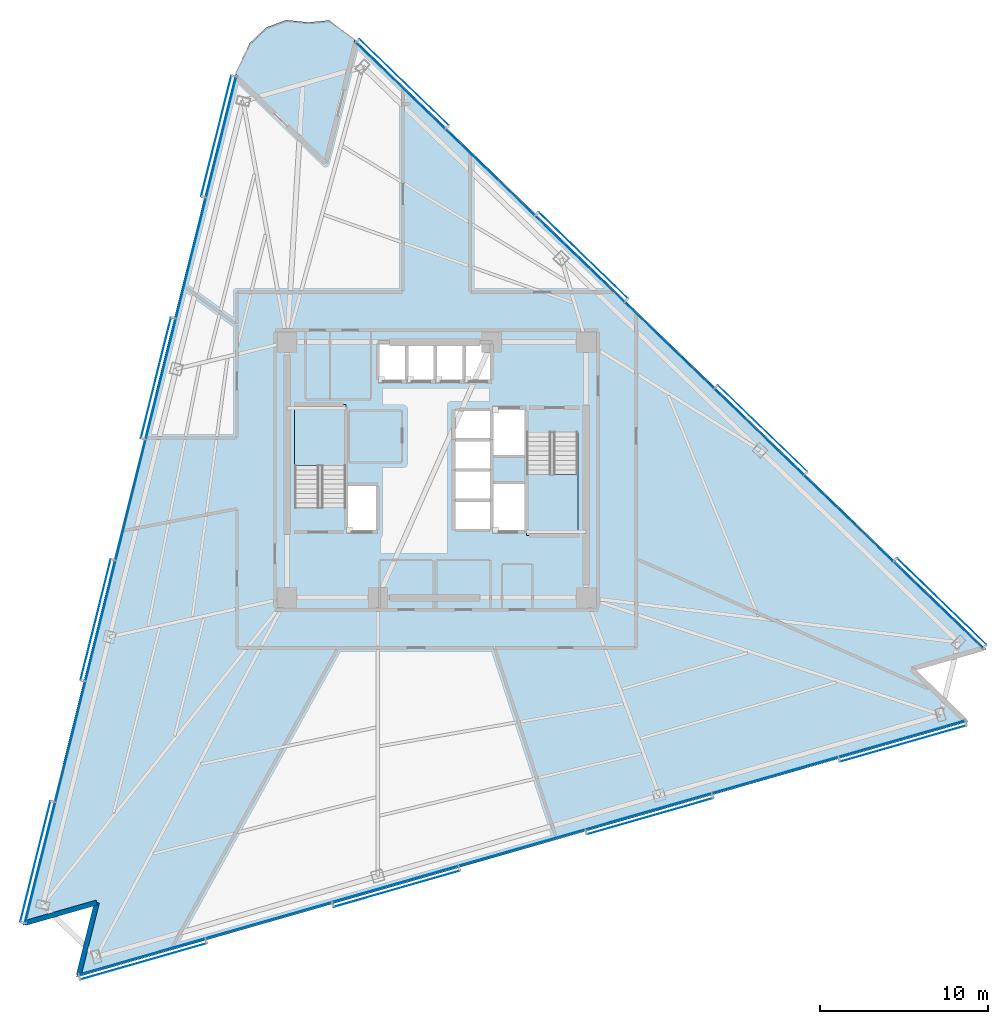
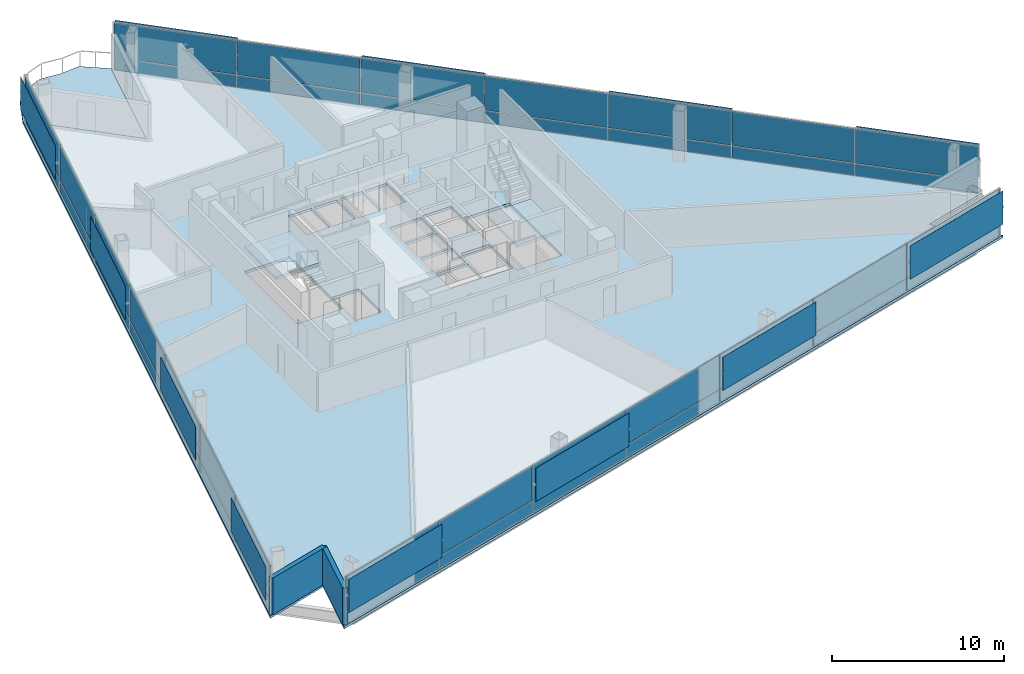
# One storey, part 8 of 17: 54 plates, 4 slabs, 2 walls, 5 elements without a shape of their own.
"""IFC4 building model written with IfcOpenShell, lengths in metres."""

from ifc_helpers import new_model, si_unit, direction, frame, frame_2d, origin, origin_2d, place, context, subcontext, project, spatial, polyline, rectangle, outline, extrude, material, layer, layer_set, type_object, element, aggregate, save


model = new_model("IFC4")

# Units and contexts
model_context = context("Model", 3, precision=1e-05, world=origin(), true_north=direction((0.0, 1.0)))
body_context = subcontext(model_context, "Body", "Model", "MODEL_VIEW")
ifc_project = project(units=[si_unit("LENGTHUNIT", "METRE"), si_unit("AREAUNIT", "SQUARE_METRE"), si_unit("VOLUMEUNIT", "CUBIC_METRE"), si_unit("PLANEANGLEUNIT", "RADIAN"), si_unit("MASSUNIT", "GRAM", prefix="KILO")], contexts=[model_context])

# Site, building, storey
site_placement = place(None, origin())
site = spatial("IfcSite", under=ifc_project, at=site_placement, CompositionType="ELEMENT")
building_placement = place(site_placement, origin())
building = spatial("IfcBuilding", under=site, at=building_placement, Name="Tharavind Bronze Gate", CompositionType="ELEMENT")
storey_placement = place(building_placement, frame((0.0, 0.0, 96.89990234375)))
storey = spatial("IfcBuildingStorey", under=building, at=storey_placement, Name="L24", CompositionType="ELEMENT", Elevation=96.89990234375)

# Plates
ifc_material_1 = material(Name="Perforated Bronze Alloy", Category="bronze")
ifc_layer_1 = layer(ifc_material_1, 0.011962890625)
ifc_layer_set_1 = layer_set([ifc_layer_1], Name="Perforated Bronze Alloy")
plate_type_1 = type_object("IfcPlateType", Name="BRONZE PERFORATED SOLAR SCREEN", PredefinedType="USERDEFINED", material=ifc_layer_set_1)
for number, where, z_axis, x_axis, name in (
    (1, (-13.11669921875, 19.86865234375, 0.966552734375), (0.0, 0.0, 1.0), (-0.2419218956, -0.970295726276, 0.0), "CW-L24-S1 perforated bronze solar screen 1"),
    (2, (-16.7041015625, 5.480712890625, 0.966552734375), (0.0, 0.0, 1.0), (-0.2419218956, -0.970295726276, 0.0), "CW-L24-S1 perforated bronze solar screen 3"),
    (3, (-20.29150390625, -8.9072265625, 0.966552734375), (0.0, 0.0, 1.0), (-0.2419218956, -0.970295726276, 0.0), "CW-L24-S1 perforated bronze solar screen 5"),
    (4, (-23.878662109375, -23.295166015625, 0.966552734375), (0.0, 0.0, 1.0), (-0.2419218956, -0.970295726276, 0.0), "CW-L24-S1 perforated bronze solar screen 7"),
):
    element("IfcPlate", number, at=place(storey_placement, frame(where, z_axis=z_axis, x_axis=x_axis)), inside=storey, type_object=plate_type_1, Name=name, ObjectType="SCREEN", PredefinedType="USERDEFINED", context=body_context, shape_type="SweptSolid", body=[
        extrude(rectangle(XDim=7.394287109375, YDim=0.011962890625, at=origin_2d()), origin(), (0.0, 0.0, 1.0), 2.376953125),
    ])
for number, where, z_axis, x_axis, name in (
    (5, (-17.447509765625, -29.251220703125, 0.966552734375), (0.0, 0.0, 1.0), (0.961261695938, 0.275637355817, 0.0), "CW-L24-S2 perforated bronze solar screen 1"),
    (6, (-2.380615234375, -24.930908203125, 0.966552734375), (0.0, 0.0, 1.0), (0.961261695938, 0.275637355817, 0.0), "CW-L24-S2 perforated bronze solar screen 3"),
    (7, (12.686279296875, -20.610595703125, 0.966552734375), (0.0, 0.0, 1.0), (0.961261695938, 0.275637355817, 0.0), "CW-L24-S2 perforated bronze solar screen 5"),
    (8, (27.75341796875, -16.290283203125, 0.966552734375), (0.0, 0.0, 1.0), (0.961261695938, 0.275637355817, 0.0), "CW-L24-S2 perforated bronze solar screen 7"),
):
    element("IfcPlate", number, at=place(storey_placement, frame(where, z_axis=z_axis, x_axis=x_axis)), inside=storey, type_object=plate_type_1, Name=name, ObjectType="SCREEN", PredefinedType="USERDEFINED", context=body_context, shape_type="SweptSolid", body=[
        extrude(rectangle(XDim=7.817138671875, YDim=0.011962890625, at=origin_2d()), origin(), (0.0, 0.0, 1.0), 2.376953125),
    ])
for number, where, z_axis, x_axis, name in (
    (9, (30.05126953125, -7.8310546875, 0.966552734375), (0.0, 0.0, 1.0), (-0.719341012745, 0.694657114973, 0.0), "CW-L24-S3 perforated bronze solar screen 1"),
    (10, (19.384521484375, 2.469482421875, 0.966552734375), (0.0, 0.0, 1.0), (-0.719341012745, 0.694657114973, 0.0), "CW-L24-S3 perforated bronze solar screen 3"),
    (11, (8.718017578125, 12.770263671875, 0.966552734375), (0.0, 0.0, 1.0), (-0.719341012745, 0.694657114973, 0.0), "CW-L24-S3 perforated bronze solar screen 5"),
    (12, (-1.94873046875, 23.07080078125, 0.966552734375), (0.0, 0.0, 1.0), (-0.719341012745, 0.694657114973, 0.0), "CW-L24-S3 perforated bronze solar screen 7"),
):
    element("IfcPlate", number, at=place(storey_placement, frame(where, z_axis=z_axis, x_axis=x_axis)), inside=storey, type_object=plate_type_1, Name=name, ObjectType="SCREEN", PredefinedType="USERDEFINED", context=body_context, shape_type="SweptSolid", body=[
        extrude(rectangle(XDim=7.394287109375, YDim=0.011962890625, at=origin_2d()), origin(), (0.0, 0.0, 1.0), 2.376953125),
    ])

# Curtain wall, plates
ifc_material_2 = material(Name="Anodised Bronze Aluminium", Category="aluminium")
ifc_layer_2 = layer(ifc_material_2, 0.219970703125)
ifc_layer_set_2 = layer_set([ifc_layer_2], Name="Anodised Bronze Aluminium")
curtain_wall_type = type_object("IfcCurtainWallType", Name="UNITISED CURTAIN WALL LOWER OFFICE", PredefinedType="USERDEFINED", material=ifc_layer_set_2)
curtain_wall_1_placement = place(storey_placement, origin())
curtain_wall_1 = element("IfcCurtainWall", 13, at=curtain_wall_1_placement, inside=storey, type_object=curtain_wall_type, Name="L24 unitised curtain wall lower office CW-L24-S1", ObjectType="UNITISED CURTAIN WALL", PredefinedType="USERDEFINED")
ifc_material_3 = material(Name="Patinated Bronze Alloy Sheet", Category="bronze")
ifc_layer_3 = layer(ifc_material_3, 0.01611328125)
ifc_layer_set_3 = layer_set([ifc_layer_3], Name="Patinated Bronze Alloy Sheet")
plate_type_2 = type_object("IfcPlateType", Name="BRONZE SPANDREL CLADDING PANEL 16", PredefinedType="CURTAIN_PANEL", material=ifc_layer_set_3)
plate_1_placement = place(storey_placement, frame((-12.83056640625, 19.797119140625, 0.02685546875), z_axis=(0.0, 0.0, 1.0), x_axis=(-0.2419218956, -0.970295726276, 0.0)))
plate_1 = element("IfcPlate", 14, at=plate_1_placement, type_object=plate_type_2, Name="CW-L24-S1 bronze spandrel panel 1", PredefinedType="CURTAIN_PANEL", context=body_context, shape_type="SweptSolid", body=[
    extrude(rectangle(XDim=7.361083984375, YDim=0.01611328125, at=origin_2d()), origin(), (0.0, 0.0, 1.0), 0.846923828125),
])
plate_2_placement = place(storey_placement, frame((-14.624267578125, 12.603271484375, 0.02685546875), z_axis=(0.0, 0.0, 1.0), x_axis=(-0.2419218956, -0.970295726276, 0.0)))
plate_2 = element("IfcPlate", 15, at=plate_2_placement, type_object=plate_type_2, Name="CW-L24-S1 bronze spandrel panel 2", PredefinedType="CURTAIN_PANEL", context=body_context, shape_type="SweptSolid", body=[
    extrude(rectangle(XDim=7.361083984375, YDim=0.01611328125, at=origin_2d()), origin(), (0.0, 0.0, 1.0), 0.846923828125),
])
plate_3_placement = place(storey_placement, frame((-16.417724609375, 5.4091796875, 0.02685546875), z_axis=(0.0, 0.0, 1.0), x_axis=(-0.2419218956, -0.970295726276, 0.0)))
plate_3 = element("IfcPlate", 16, at=plate_3_placement, type_object=plate_type_2, Name="CW-L24-S1 bronze spandrel panel 3", PredefinedType="CURTAIN_PANEL", context=body_context, shape_type="SweptSolid", body=[
    extrude(rectangle(XDim=7.361083984375, YDim=0.01611328125, at=origin_2d()), origin(), (0.0, 0.0, 1.0), 0.846923828125),
])
plate_4_placement = place(storey_placement, frame((-18.21142578125, -1.78466796875, 0.02685546875), z_axis=(0.0, 0.0, 1.0), x_axis=(-0.2419218956, -0.970295726276, 0.0)))
plate_4 = element("IfcPlate", 17, at=plate_4_placement, type_object=plate_type_2, Name="CW-L24-S1 bronze spandrel panel 4", PredefinedType="CURTAIN_PANEL", context=body_context, shape_type="SweptSolid", body=[
    extrude(rectangle(XDim=7.361083984375, YDim=0.01611328125, at=origin_2d()), origin(), (0.0, 0.0, 1.0), 0.846923828125),
])
plate_5_placement = place(storey_placement, frame((-20.005126953125, -8.978759765625, 0.02685546875), z_axis=(0.0, 0.0, 1.0), x_axis=(-0.2419218956, -0.970295726276, 0.0)))
plate_5 = element("IfcPlate", 18, at=plate_5_placement, type_object=plate_type_2, Name="CW-L24-S1 bronze spandrel panel 5", PredefinedType="CURTAIN_PANEL", context=body_context, shape_type="SweptSolid", body=[
    extrude(rectangle(XDim=7.361083984375, YDim=0.01611328125, at=origin_2d()), origin(), (0.0, 0.0, 1.0), 0.846923828125),
])
plate_6_placement = place(storey_placement, frame((-21.798828125, -16.172607421875, 0.02685546875), z_axis=(0.0, 0.0, 1.0), x_axis=(-0.2419218956, -0.970295726276, 0.0)))
plate_6 = element("IfcPlate", 19, at=plate_6_placement, type_object=plate_type_2, Name="CW-L24-S1 bronze spandrel panel 6", PredefinedType="CURTAIN_PANEL", context=body_context, shape_type="SweptSolid", body=[
    extrude(rectangle(XDim=7.361083984375, YDim=0.01611328125, at=origin_2d()), origin(), (0.0, 0.0, 1.0), 0.846923828125),
])
plate_7_placement = place(storey_placement, frame((-23.592529296875, -23.36669921875, 0.02685546875), z_axis=(0.0, 0.0, 1.0), x_axis=(-0.2419218956, -0.970295726276, 0.0)))
plate_7 = element("IfcPlate", 20, at=plate_7_placement, type_object=plate_type_2, Name="CW-L24-S1 bronze spandrel panel 7", PredefinedType="CURTAIN_PANEL", context=body_context, shape_type="SweptSolid", body=[
    extrude(rectangle(XDim=7.361083984375, YDim=0.01611328125, at=origin_2d()), origin(), (0.0, 0.0, 1.0), 0.846923828125),
])

curtain_wall_2_placement = place(storey_placement, origin())
curtain_wall_2 = element("IfcCurtainWall", 21, at=curtain_wall_2_placement, inside=storey, type_object=curtain_wall_type, Name="L24 unitised curtain wall lower office CW-L24-S2", ObjectType="UNITISED CURTAIN WALL", PredefinedType="USERDEFINED")
plate_8_placement = place(storey_placement, frame((-17.52880859375, -28.9677734375, 0.02685546875), z_axis=(0.0, 0.0, 1.0), x_axis=(0.961261695938, 0.275637355817, 0.0)))
plate_8 = element("IfcPlate", 22, at=plate_8_placement, type_object=plate_type_2, Name="CW-L24-S2 bronze spandrel panel 1", PredefinedType="CURTAIN_PANEL", context=body_context, shape_type="SweptSolid", body=[
    extrude(rectangle(XDim=7.7841796875, YDim=0.01611328125, at=origin_2d()), origin(), (0.0, 0.0, 1.0), 0.846923828125),
])
plate_9_placement = place(storey_placement, frame((-9.995361328125, -26.8076171875, 0.02685546875), z_axis=(0.0, 0.0, 1.0), x_axis=(0.961261695938, 0.275637355817, 0.0)))
plate_9 = element("IfcPlate", 23, at=plate_9_placement, type_object=plate_type_2, Name="CW-L24-S2 bronze spandrel panel 2", PredefinedType="CURTAIN_PANEL", context=body_context, shape_type="SweptSolid", body=[
    extrude(rectangle(XDim=7.7841796875, YDim=0.01611328125, at=origin_2d()), origin(), (0.0, 0.0, 1.0), 0.846923828125),
])
plate_10_placement = place(storey_placement, frame((-2.4619140625, -24.647216796875, 0.02685546875), z_axis=(0.0, 0.0, 1.0), x_axis=(0.961261695938, 0.275637355817, 0.0)))
plate_10 = element("IfcPlate", 24, at=plate_10_placement, type_object=plate_type_2, Name="CW-L24-S2 bronze spandrel panel 3", PredefinedType="CURTAIN_PANEL", context=body_context, shape_type="SweptSolid", body=[
    extrude(rectangle(XDim=7.7841796875, YDim=0.01611328125, at=origin_2d()), origin(), (0.0, 0.0, 1.0), 0.846923828125),
])
plate_11_placement = place(storey_placement, frame((5.07177734375, -22.487060546875, 0.02685546875), z_axis=(0.0, 0.0, 1.0), x_axis=(0.961261695938, 0.275637355817, 0.0)))
plate_11 = element("IfcPlate", 25, at=plate_11_placement, type_object=plate_type_2, Name="CW-L24-S2 bronze spandrel panel 4", PredefinedType="CURTAIN_PANEL", context=body_context, shape_type="SweptSolid", body=[
    extrude(rectangle(XDim=7.7841796875, YDim=0.01611328125, at=origin_2d()), origin(), (0.0, 0.0, 1.0), 0.846923828125),
])
plate_12_placement = place(storey_placement, frame((12.60498046875, -20.326904296875, 0.02685546875), z_axis=(0.0, 0.0, 1.0), x_axis=(0.961261695938, 0.275637355817, 0.0)))
plate_12 = element("IfcPlate", 26, at=plate_12_placement, type_object=plate_type_2, Name="CW-L24-S2 bronze spandrel panel 5", PredefinedType="CURTAIN_PANEL", context=body_context, shape_type="SweptSolid", body=[
    extrude(rectangle(XDim=7.7841796875, YDim=0.01611328125, at=origin_2d()), origin(), (0.0, 0.0, 1.0), 0.846923828125),
])
plate_13_placement = place(storey_placement, frame((20.138671875, -18.166748046875, 0.02685546875), z_axis=(0.0, 0.0, 1.0), x_axis=(0.961261695938, 0.275637355817, 0.0)))
plate_13 = element("IfcPlate", 27, at=plate_13_placement, type_object=plate_type_2, Name="CW-L24-S2 bronze spandrel panel 6", PredefinedType="CURTAIN_PANEL", context=body_context, shape_type="SweptSolid", body=[
    extrude(rectangle(XDim=7.7841796875, YDim=0.01611328125, at=origin_2d()), origin(), (0.0, 0.0, 1.0), 0.846923828125),
])
plate_14_placement = place(storey_placement, frame((27.672119140625, -16.006591796875, 0.02685546875), z_axis=(0.0, 0.0, 1.0), x_axis=(0.961261695938, 0.275637355817, 0.0)))
plate_14 = element("IfcPlate", 28, at=plate_14_placement, type_object=plate_type_2, Name="CW-L24-S2 bronze spandrel panel 7", PredefinedType="CURTAIN_PANEL", context=body_context, shape_type="SweptSolid", body=[
    extrude(rectangle(XDim=7.7841796875, YDim=0.01611328125, at=origin_2d()), origin(), (0.0, 0.0, 1.0), 0.846923828125),
])

curtain_wall_3_placement = place(storey_placement, origin())
curtain_wall_3 = element("IfcCurtainWall", 29, at=curtain_wall_3_placement, inside=storey, type_object=curtain_wall_type, Name="L24 unitised curtain wall lower office CW-L24-S3", ObjectType="UNITISED CURTAIN WALL", PredefinedType="USERDEFINED")
plate_15_placement = place(storey_placement, frame((29.84619140625, -8.043212890625, 0.02685546875), z_axis=(0.0, 0.0, 1.0), x_axis=(-0.719341012745, 0.694657114973, 0.0)))
plate_15 = element("IfcPlate", 30, at=plate_15_placement, type_object=plate_type_2, Name="CW-L24-S3 bronze spandrel panel 1", PredefinedType="CURTAIN_PANEL", context=body_context, shape_type="SweptSolid", body=[
    extrude(rectangle(XDim=7.361083984375, YDim=0.01611328125, at=origin_2d()), origin(), (0.0, 0.0, 1.0), 0.846923828125),
])
plate_16_placement = place(storey_placement, frame((24.512939453125, -2.892822265625, 0.02685546875), z_axis=(0.0, 0.0, 1.0), x_axis=(-0.719341012745, 0.694657114973, 0.0)))
plate_16 = element("IfcPlate", 31, at=plate_16_placement, type_object=plate_type_2, Name="CW-L24-S3 bronze spandrel panel 2", PredefinedType="CURTAIN_PANEL", context=body_context, shape_type="SweptSolid", body=[
    extrude(rectangle(XDim=7.361083984375, YDim=0.01611328125, at=origin_2d()), origin(), (0.0, 0.0, 1.0), 0.846923828125),
])
plate_17_placement = place(storey_placement, frame((19.1796875, 2.25732421875, 0.02685546875), z_axis=(0.0, 0.0, 1.0), x_axis=(-0.719341012745, 0.694657114973, 0.0)))
plate_17 = element("IfcPlate", 32, at=plate_17_placement, type_object=plate_type_2, Name="CW-L24-S3 bronze spandrel panel 3", PredefinedType="CURTAIN_PANEL", context=body_context, shape_type="SweptSolid", body=[
    extrude(rectangle(XDim=7.361083984375, YDim=0.01611328125, at=origin_2d()), origin(), (0.0, 0.0, 1.0), 0.846923828125),
])
plate_18_placement = place(storey_placement, frame((13.84619140625, 7.40771484375, 0.02685546875), z_axis=(0.0, 0.0, 1.0), x_axis=(-0.719341012745, 0.694657114973, 0.0)))
plate_18 = element("IfcPlate", 33, at=plate_18_placement, type_object=plate_type_2, Name="CW-L24-S3 bronze spandrel panel 4", PredefinedType="CURTAIN_PANEL", context=body_context, shape_type="SweptSolid", body=[
    extrude(rectangle(XDim=7.361083984375, YDim=0.01611328125, at=origin_2d()), origin(), (0.0, 0.0, 1.0), 0.846923828125),
])
plate_19_placement = place(storey_placement, frame((8.512939453125, 12.55810546875, 0.02685546875), z_axis=(0.0, 0.0, 1.0), x_axis=(-0.719341012745, 0.694657114973, 0.0)))
plate_19 = element("IfcPlate", 34, at=plate_19_placement, type_object=plate_type_2, Name="CW-L24-S3 bronze spandrel panel 5", PredefinedType="CURTAIN_PANEL", context=body_context, shape_type="SweptSolid", body=[
    extrude(rectangle(XDim=7.361083984375, YDim=0.01611328125, at=origin_2d()), origin(), (0.0, 0.0, 1.0), 0.846923828125),
])
plate_20_placement = place(storey_placement, frame((3.1796875, 17.70849609375, 0.02685546875), z_axis=(0.0, 0.0, 1.0), x_axis=(-0.719341012745, 0.694657114973, 0.0)))
plate_20 = element("IfcPlate", 35, at=plate_20_placement, type_object=plate_type_2, Name="CW-L24-S3 bronze spandrel panel 6", PredefinedType="CURTAIN_PANEL", context=body_context, shape_type="SweptSolid", body=[
    extrude(rectangle(XDim=7.361083984375, YDim=0.01611328125, at=origin_2d()), origin(), (0.0, 0.0, 1.0), 0.846923828125),
])
plate_21_placement = place(storey_placement, frame((-2.15380859375, 22.858642578125, 0.02685546875), z_axis=(0.0, 0.0, 1.0), x_axis=(-0.719341012745, 0.694657114973, 0.0)))
plate_21 = element("IfcPlate", 36, at=plate_21_placement, type_object=plate_type_2, Name="CW-L24-S3 bronze spandrel panel 7", PredefinedType="CURTAIN_PANEL", context=body_context, shape_type="SweptSolid", body=[
    extrude(rectangle(XDim=7.361083984375, YDim=0.01611328125, at=origin_2d()), origin(), (0.0, 0.0, 1.0), 0.846923828125),
])

# Plate
ifc_material_4 = material(Name="Low-E Double Glazing", Category="glass")
ifc_layer_4 = layer(ifc_material_4, 0.031982421875)
ifc_layer_set_4 = layer_set([ifc_layer_4], Name="Low-E Double Glazing")
plate_type_3 = type_object("IfcPlateType", Name="DOUBLE GLAZED FACADE PANEL 32", PredefinedType="CURTAIN_PANEL", material=ifc_layer_set_4)
plate_22_placement = place(storey_placement, frame((-12.83056640625, 19.797119140625, 0.926513671875), z_axis=(0.0, 0.0, 1.0), x_axis=(-0.2419218956, -0.970295726276, 0.0)))
plate_22 = element("IfcPlate", 37, at=plate_22_placement, type_object=plate_type_3, Name="CW-L24-S1 vision glazing panel 1", PredefinedType="CURTAIN_PANEL", context=body_context, shape_type="SweptSolid", body=[
    extrude(rectangle(XDim=7.361083984375, YDim=0.031982421875, at=origin_2d()), origin(), (0.0, 0.0, 1.0), 2.45703125),
])

plate_23_placement = place(storey_placement, frame((-14.624267578125, 12.603271484375, 0.926513671875), z_axis=(0.0, 0.0, 1.0), x_axis=(-0.2419218956, -0.970295726276, 0.0)))
plate_23 = element("IfcPlate", 38, at=plate_23_placement, type_object=plate_type_3, Name="CW-L24-S1 vision glazing panel 2", PredefinedType="CURTAIN_PANEL", context=body_context, shape_type="SweptSolid", body=[
    extrude(rectangle(XDim=7.361083984375, YDim=0.031982421875, at=origin_2d()), origin(), (0.0, 0.0, 1.0), 2.45703125),
])

plate_24_placement = place(storey_placement, frame((-16.417724609375, 5.4091796875, 0.926513671875), z_axis=(0.0, 0.0, 1.0), x_axis=(-0.2419218956, -0.970295726276, 0.0)))
plate_24 = element("IfcPlate", 39, at=plate_24_placement, type_object=plate_type_3, Name="CW-L24-S1 vision glazing panel 3", PredefinedType="CURTAIN_PANEL", context=body_context, shape_type="SweptSolid", body=[
    extrude(rectangle(XDim=7.361083984375, YDim=0.031982421875, at=origin_2d()), origin(), (0.0, 0.0, 1.0), 2.45703125),
])

plate_25_placement = place(storey_placement, frame((-18.21142578125, -1.78466796875, 0.926513671875), z_axis=(0.0, 0.0, 1.0), x_axis=(-0.2419218956, -0.970295726276, 0.0)))
plate_25 = element("IfcPlate", 40, at=plate_25_placement, type_object=plate_type_3, Name="CW-L24-S1 vision glazing panel 4", PredefinedType="CURTAIN_PANEL", context=body_context, shape_type="SweptSolid", body=[
    extrude(rectangle(XDim=7.361083984375, YDim=0.031982421875, at=origin_2d()), origin(), (0.0, 0.0, 1.0), 2.45703125),
])

plate_26_placement = place(storey_placement, frame((-20.005126953125, -8.978759765625, 0.926513671875), z_axis=(0.0, 0.0, 1.0), x_axis=(-0.2419218956, -0.970295726276, 0.0)))
plate_26 = element("IfcPlate", 41, at=plate_26_placement, type_object=plate_type_3, Name="CW-L24-S1 vision glazing panel 5", PredefinedType="CURTAIN_PANEL", context=body_context, shape_type="SweptSolid", body=[
    extrude(rectangle(XDim=7.361083984375, YDim=0.031982421875, at=origin_2d()), origin(), (0.0, 0.0, 1.0), 2.45703125),
])

plate_27_placement = place(storey_placement, frame((-21.798828125, -16.172607421875, 0.926513671875), z_axis=(0.0, 0.0, 1.0), x_axis=(-0.2419218956, -0.970295726276, 0.0)))
plate_27 = element("IfcPlate", 42, at=plate_27_placement, type_object=plate_type_3, Name="CW-L24-S1 vision glazing panel 6", PredefinedType="CURTAIN_PANEL", context=body_context, shape_type="SweptSolid", body=[
    extrude(rectangle(XDim=7.361083984375, YDim=0.031982421875, at=origin_2d()), origin(), (0.0, 0.0, 1.0), 2.45703125),
])

plate_28_placement = place(storey_placement, frame((-23.592529296875, -23.36669921875, 0.926513671875), z_axis=(0.0, 0.0, 1.0), x_axis=(-0.2419218956, -0.970295726276, 0.0)))
plate_28 = element("IfcPlate", 43, at=plate_28_placement, type_object=plate_type_3, Name="CW-L24-S1 vision glazing panel 7", PredefinedType="CURTAIN_PANEL", context=body_context, shape_type="SweptSolid", body=[
    extrude(rectangle(XDim=7.361083984375, YDim=0.031982421875, at=origin_2d()), origin(), (0.0, 0.0, 1.0), 2.45703125),
])

aggregate(curtain_wall_1, [plate_1, plate_22, plate_2, plate_23, plate_3, plate_24, plate_4, plate_25, plate_5, plate_26, plate_6, plate_27, plate_7, plate_28])

plate_29_placement = place(storey_placement, frame((-17.52880859375, -28.9677734375, 0.926513671875), z_axis=(0.0, 0.0, 1.0), x_axis=(0.961261695938, 0.275637355817, 0.0)))
plate_29 = element("IfcPlate", 44, at=plate_29_placement, type_object=plate_type_3, Name="CW-L24-S2 vision glazing panel 1", PredefinedType="CURTAIN_PANEL", context=body_context, shape_type="SweptSolid", body=[
    extrude(rectangle(XDim=7.7841796875, YDim=0.031982421875, at=origin_2d()), origin(), (0.0, 0.0, 1.0), 2.45703125),
])

plate_30_placement = place(storey_placement, frame((-9.995361328125, -26.8076171875, 0.926513671875), z_axis=(0.0, 0.0, 1.0), x_axis=(0.961261695938, 0.275637355817, 0.0)))
plate_30 = element("IfcPlate", 45, at=plate_30_placement, type_object=plate_type_3, Name="CW-L24-S2 vision glazing panel 2", PredefinedType="CURTAIN_PANEL", context=body_context, shape_type="SweptSolid", body=[
    extrude(rectangle(XDim=7.7841796875, YDim=0.031982421875, at=origin_2d()), origin(), (0.0, 0.0, 1.0), 2.45703125),
])

plate_31_placement = place(storey_placement, frame((-2.4619140625, -24.647216796875, 0.926513671875), z_axis=(0.0, 0.0, 1.0), x_axis=(0.961261695938, 0.275637355817, 0.0)))
plate_31 = element("IfcPlate", 46, at=plate_31_placement, type_object=plate_type_3, Name="CW-L24-S2 vision glazing panel 3", PredefinedType="CURTAIN_PANEL", context=body_context, shape_type="SweptSolid", body=[
    extrude(rectangle(XDim=7.7841796875, YDim=0.031982421875, at=origin_2d()), origin(), (0.0, 0.0, 1.0), 2.45703125),
])

plate_32_placement = place(storey_placement, frame((5.07177734375, -22.487060546875, 0.926513671875), z_axis=(0.0, 0.0, 1.0), x_axis=(0.961261695938, 0.275637355817, 0.0)))
plate_32 = element("IfcPlate", 47, at=plate_32_placement, type_object=plate_type_3, Name="CW-L24-S2 vision glazing panel 4", PredefinedType="CURTAIN_PANEL", context=body_context, shape_type="SweptSolid", body=[
    extrude(rectangle(XDim=7.7841796875, YDim=0.031982421875, at=origin_2d()), origin(), (0.0, 0.0, 1.0), 2.45703125),
])

plate_33_placement = place(storey_placement, frame((12.60498046875, -20.326904296875, 0.926513671875), z_axis=(0.0, 0.0, 1.0), x_axis=(0.961261695938, 0.275637355817, 0.0)))
plate_33 = element("IfcPlate", 48, at=plate_33_placement, type_object=plate_type_3, Name="CW-L24-S2 vision glazing panel 5", PredefinedType="CURTAIN_PANEL", context=body_context, shape_type="SweptSolid", body=[
    extrude(rectangle(XDim=7.7841796875, YDim=0.031982421875, at=origin_2d()), origin(), (0.0, 0.0, 1.0), 2.45703125),
])

plate_34_placement = place(storey_placement, frame((20.138671875, -18.166748046875, 0.926513671875), z_axis=(0.0, 0.0, 1.0), x_axis=(0.961261695938, 0.275637355817, 0.0)))
plate_34 = element("IfcPlate", 49, at=plate_34_placement, type_object=plate_type_3, Name="CW-L24-S2 vision glazing panel 6", PredefinedType="CURTAIN_PANEL", context=body_context, shape_type="SweptSolid", body=[
    extrude(rectangle(XDim=7.7841796875, YDim=0.031982421875, at=origin_2d()), origin(), (0.0, 0.0, 1.0), 2.45703125),
])

plate_35_placement = place(storey_placement, frame((27.672119140625, -16.006591796875, 0.926513671875), z_axis=(0.0, 0.0, 1.0), x_axis=(0.961261695938, 0.275637355817, 0.0)))
plate_35 = element("IfcPlate", 50, at=plate_35_placement, type_object=plate_type_3, Name="CW-L24-S2 vision glazing panel 7", PredefinedType="CURTAIN_PANEL", context=body_context, shape_type="SweptSolid", body=[
    extrude(rectangle(XDim=7.7841796875, YDim=0.031982421875, at=origin_2d()), origin(), (0.0, 0.0, 1.0), 2.45703125),
])

aggregate(curtain_wall_2, [plate_8, plate_29, plate_9, plate_30, plate_10, plate_31, plate_11, plate_32, plate_12, plate_33, plate_13, plate_34, plate_14, plate_35])

plate_36_placement = place(storey_placement, frame((29.84619140625, -8.043212890625, 0.926513671875), z_axis=(0.0, 0.0, 1.0), x_axis=(-0.719341012745, 0.694657114973, 0.0)))
plate_36 = element("IfcPlate", 51, at=plate_36_placement, type_object=plate_type_3, Name="CW-L24-S3 vision glazing panel 1", PredefinedType="CURTAIN_PANEL", context=body_context, shape_type="SweptSolid", body=[
    extrude(rectangle(XDim=7.361083984375, YDim=0.031982421875, at=origin_2d()), origin(), (0.0, 0.0, 1.0), 2.45703125),
])

plate_37_placement = place(storey_placement, frame((24.512939453125, -2.892822265625, 0.926513671875), z_axis=(0.0, 0.0, 1.0), x_axis=(-0.719341012745, 0.694657114973, 0.0)))
plate_37 = element("IfcPlate", 52, at=plate_37_placement, type_object=plate_type_3, Name="CW-L24-S3 vision glazing panel 2", PredefinedType="CURTAIN_PANEL", context=body_context, shape_type="SweptSolid", body=[
    extrude(rectangle(XDim=7.361083984375, YDim=0.031982421875, at=origin_2d()), origin(), (0.0, 0.0, 1.0), 2.45703125),
])

plate_38_placement = place(storey_placement, frame((19.1796875, 2.25732421875, 0.926513671875), z_axis=(0.0, 0.0, 1.0), x_axis=(-0.719341012745, 0.694657114973, 0.0)))
plate_38 = element("IfcPlate", 53, at=plate_38_placement, type_object=plate_type_3, Name="CW-L24-S3 vision glazing panel 3", PredefinedType="CURTAIN_PANEL", context=body_context, shape_type="SweptSolid", body=[
    extrude(rectangle(XDim=7.361083984375, YDim=0.031982421875, at=origin_2d()), origin(), (0.0, 0.0, 1.0), 2.45703125),
])

plate_39_placement = place(storey_placement, frame((13.84619140625, 7.40771484375, 0.926513671875), z_axis=(0.0, 0.0, 1.0), x_axis=(-0.719341012745, 0.694657114973, 0.0)))
plate_39 = element("IfcPlate", 54, at=plate_39_placement, type_object=plate_type_3, Name="CW-L24-S3 vision glazing panel 4", PredefinedType="CURTAIN_PANEL", context=body_context, shape_type="SweptSolid", body=[
    extrude(rectangle(XDim=7.361083984375, YDim=0.031982421875, at=origin_2d()), origin(), (0.0, 0.0, 1.0), 2.45703125),
])

plate_40_placement = place(storey_placement, frame((8.512939453125, 12.55810546875, 0.926513671875), z_axis=(0.0, 0.0, 1.0), x_axis=(-0.719341012745, 0.694657114973, 0.0)))
plate_40 = element("IfcPlate", 55, at=plate_40_placement, type_object=plate_type_3, Name="CW-L24-S3 vision glazing panel 5", PredefinedType="CURTAIN_PANEL", context=body_context, shape_type="SweptSolid", body=[
    extrude(rectangle(XDim=7.361083984375, YDim=0.031982421875, at=origin_2d()), origin(), (0.0, 0.0, 1.0), 2.45703125),
])

plate_41_placement = place(storey_placement, frame((3.1796875, 17.70849609375, 0.926513671875), z_axis=(0.0, 0.0, 1.0), x_axis=(-0.719341012745, 0.694657114973, 0.0)))
plate_41 = element("IfcPlate", 56, at=plate_41_placement, type_object=plate_type_3, Name="CW-L24-S3 vision glazing panel 6", PredefinedType="CURTAIN_PANEL", context=body_context, shape_type="SweptSolid", body=[
    extrude(rectangle(XDim=7.361083984375, YDim=0.031982421875, at=origin_2d()), origin(), (0.0, 0.0, 1.0), 2.45703125),
])

plate_42_placement = place(storey_placement, frame((-2.15380859375, 22.858642578125, 0.926513671875), z_axis=(0.0, 0.0, 1.0), x_axis=(-0.719341012745, 0.694657114973, 0.0)))
plate_42 = element("IfcPlate", 57, at=plate_42_placement, type_object=plate_type_3, Name="CW-L24-S3 vision glazing panel 7", PredefinedType="CURTAIN_PANEL", context=body_context, shape_type="SweptSolid", body=[
    extrude(rectangle(XDim=7.361083984375, YDim=0.031982421875, at=origin_2d()), origin(), (0.0, 0.0, 1.0), 2.45703125),
])

aggregate(curtain_wall_3, [plate_15, plate_36, plate_16, plate_37, plate_17, plate_38, plate_18, plate_39, plate_19, plate_40, plate_20, plate_41, plate_21, plate_42])

# Slab
ifc_material_5 = material(Name="Concrete C40/50", Category="concrete")
ifc_layer_5 = layer(ifc_material_5, 0.179931640625)
ifc_layer_set_5 = layer_set([ifc_layer_5], Name="Concrete C40/50")
slab_type_1 = type_object("IfcSlabType", Name="EXTERIOR BALCONY SLAB 180", PredefinedType="FLOOR", material=ifc_layer_set_5)
slab_1_placement = place(storey_placement, frame((0.0, 0.0, -0.179931640625)))
element("IfcSlab", 58, at=slab_1_placement, inside=storey, type_object=slab_type_1, Name="L24 northeast tree balcony slab", PredefinedType="FLOOR", context=body_context, shape_type="SweptSolid", body=[
    extrude(outline(polyline([(-6.388427734375, 26.752685546875), (-7.6376953125, 26.63525390625), (-8.960693359375, 26.7744140625), (-10.118896484375, 26.33935546875), (-11.130615234375, 25.39306640625), (-11.98876953125, 23.58642578125), (-6.665771484375, 18.446044921875), (-4.87548828125, 25.626220703125), (-6.388427734375, 26.752685546875)])), origin(), (0.0, 0.0, 1.0), 0.179931640625),
])

# Stair, slab
stair_type = type_object("IfcStairType", Name="CORE HALF TURN STAIR 1450", PredefinedType="HALF_TURN_STAIR", material=ifc_material_5)
stair_1_placement = place(storey_placement, origin())
stair_1 = element("IfcStair", 59, at=stair_1_placement, inside=storey, type_object=stair_type, Name="L24 Protected Exit Stair ST1", PredefinedType="HALF_TURN_STAIR")
ifc_layer_6 = layer(ifc_material_5, 0.199951171875)
ifc_layer_set_6 = layer_set([ifc_layer_6], Name="Concrete C40/50")
slab_type_2 = type_object("IfcSlabType", Name="STAIR LANDING SLAB 200", PredefinedType="LANDING", material=ifc_layer_set_6)
slab_2_placement = place(storey_placement, frame((0.0, 0.0, 1.60009765625)))
slab_2 = element("IfcSlab", 60, at=slab_2_placement, type_object=slab_type_2, Name="ST1 landing 1", PredefinedType="LANDING", context=body_context, shape_type="SweptSolid", body=[
    extrude(outline(polyline([(-5.39990234375, 0.27001953125), (-5.39990234375, 3.89990234375), (-8.449951171875, 3.89990234375), (-8.449951171875, 0.27001953125), (-5.39990234375, 0.27001953125)])), origin(), (0.0, 0.0, 1.0), 0.199951171875),
])
aggregate(stair_1, [slab_2])

stair_2_placement = place(storey_placement, origin())
stair_2 = element("IfcStair", 61, at=stair_2_placement, inside=storey, type_object=stair_type, Name="L24 Protected Exit Stair ST2", PredefinedType="HALF_TURN_STAIR")
slab_3_placement = place(storey_placement, frame((0.0, 0.0, 1.60009765625)))
slab_3 = element("IfcSlab", 62, at=slab_3_placement, type_object=slab_type_2, Name="ST2 landing 1", PredefinedType="LANDING", context=body_context, shape_type="SweptSolid", body=[
    extrude(outline(polyline([(5.35009765625, -0.27001953125), (5.35009765625, -3.89990234375), (8.39990234375, -3.89990234375), (8.39990234375, -0.27001953125), (5.35009765625, -0.27001953125)])), origin(), (0.0, 0.0, 1.0), 0.199951171875),
])
aggregate(stair_2, [slab_3])

# Slab
ifc_layer_7 = layer(ifc_material_5, 0.18994140625)
ifc_layer_set_7 = layer_set([ifc_layer_7], Name="Concrete C40/50")
slab_type_3 = type_object("IfcSlabType", Name="STRUCTURAL FLOOR SLAB 190", PredefinedType="FLOOR", material=ifc_layer_set_7)
slab_4_placement = place(storey_placement, frame((0.0, 0.0, -0.18994140625)))
element("IfcSlab", 63, at=slab_4_placement, inside=storey, type_object=slab_type_3, Name="L24 main structural floor slab", PredefinedType="FLOOR", context=body_context, shape_type="SweptSolid", body=[
    extrude(outline(polyline([(-4.87548828125, 25.626220703125), (-6.665771484375, 18.446044921875), (-11.98876953125, 23.58642578125), (-24.628173828125, -27.107421875), (-20.360107421875, -25.883544921875), (-21.434326171875, -30.191650390625), (31.6328125, -14.974853515625), (28.439208984375, -11.890625), (32.70703125, -10.666748046875), (-4.87548828125, 25.626220703125)]), holes=[polyline([(-5.39990234375, -2.215087890625), (-5.39990234375, 3.89990234375), (-8.449951171875, 3.89990234375), (-8.449951171875, -2.215087890625), (-5.39990234375, -2.215087890625)]), polyline([(5.35009765625, 2.215087890625), (5.35009765625, -3.89990234375), (8.39990234375, -3.89990234375), (8.39990234375, 2.215087890625), (5.35009765625, 2.215087890625)]), polyline([(-3.419921875, 5.330078125), (-1.867431640625, 5.330078125), (-1.867431640625, 7.52001953125), (-3.419921875, 7.52001953125), (-3.419921875, 5.330078125)]), polyline([(-1.70751953125, 5.330078125), (-0.155029296875, 5.330078125), (-0.155029296875, 7.52001953125), (-1.70751953125, 7.52001953125), (-1.70751953125, 5.330078125)]), polyline([(0.0048828125, 5.330078125), (1.5576171875, 5.330078125), (1.5576171875, 7.52001953125), (0.0048828125, 7.52001953125), (0.0048828125, 5.330078125)]), polyline([(1.717529296875, 5.330078125), (3.199951171875, 5.330078125), (3.199951171875, 7.52001953125), (1.717529296875, 7.52001953125), (1.717529296875, 5.330078125)]), polyline([(1.080078125, -3.52001953125), (3.199951171875, -3.52001953125), (3.199951171875, -1.8798828125), (1.080078125, -1.8798828125), (1.080078125, -3.52001953125)]), polyline([(1.080078125, -1.719970703125), (3.199951171875, -1.719970703125), (3.199951171875, -0.080078125), (1.080078125, -0.080078125), (1.080078125, -1.719970703125)]), polyline([(1.080078125, 0.080078125), (3.199951171875, 0.080078125), (3.199951171875, 1.719970703125), (1.080078125, 1.719970703125), (1.080078125, 0.080078125)]), polyline([(1.080078125, 1.8798828125), (3.199951171875, 1.8798828125), (3.199951171875, 3.52001953125), (1.080078125, 3.52001953125), (1.080078125, 1.8798828125)]), polyline([(-5.320068359375, -3.6201171875), (-3.580078125, -3.6201171875), (-3.580078125, -0.929931640625), (-5.320068359375, -0.929931640625), (-5.320068359375, -3.6201171875)]), polyline([(3.360107421875, 0.8798828125), (5.27001953125, 0.8798828125), (5.27001953125, 3.6201171875), (3.360107421875, 3.6201171875), (3.360107421875, 0.8798828125)]), polyline([(3.360107421875, -3.6201171875), (5.27001953125, -3.6201171875), (5.27001953125, -0.830078125), (3.360107421875, -0.830078125), (3.360107421875, -3.6201171875)])]), origin(), (0.0, 0.0, 1.0), 0.18994140625),
])

# Walls
ifc_layer_8 = layer(ifc_material_5, 0.300048828125)
ifc_layer_set_8 = layer_set([ifc_layer_8], Name="Concrete C40/50")
wall_type = type_object("IfcWallType", Name="EXTERIOR SPANDREL WALL 300", PredefinedType="STANDARD", material=ifc_layer_set_8)
wall_1_placement = place(storey_placement, frame((-24.4892578125, -26.963623046875, 0.0), z_axis=(0.0, 0.0, 1.0), x_axis=(0.961259988927, 0.275643308803, 0.0)))
element("IfcWall", 64, at=wall_1_placement, inside=storey, type_object=wall_type, Name="L24 notch cheek wall 2A", PredefinedType="STANDARD", context=body_context, shape_type="SweptSolid", body=[
    extrude(rectangle(XDim=4.440185546875, YDim=0.300048828125, at=frame_2d((2.22021484375, 0.0))), origin(), (0.0, 0.0, 1.0), 2.60498046875),
])
wall_2_placement = place(storey_placement, frame((-20.22119140625, -25.73974609375, 0.0), z_axis=(0.0, 0.0, 1.0), x_axis=(-0.241940431812, -0.970291104491, 0.0)))
element("IfcWall", 65, at=wall_2_placement, inside=storey, type_object=wall_type, Name="L24 notch cheek wall 2B", PredefinedType="STANDARD", context=body_context, shape_type="SweptSolid", body=[
    extrude(rectangle(XDim=4.43994140625, YDim=0.300048828125, at=frame_2d((2.219970703125, 0.0))), origin(), (0.0, 0.0, 1.0), 2.60498046875),
])

save(model, "model.ifc")
